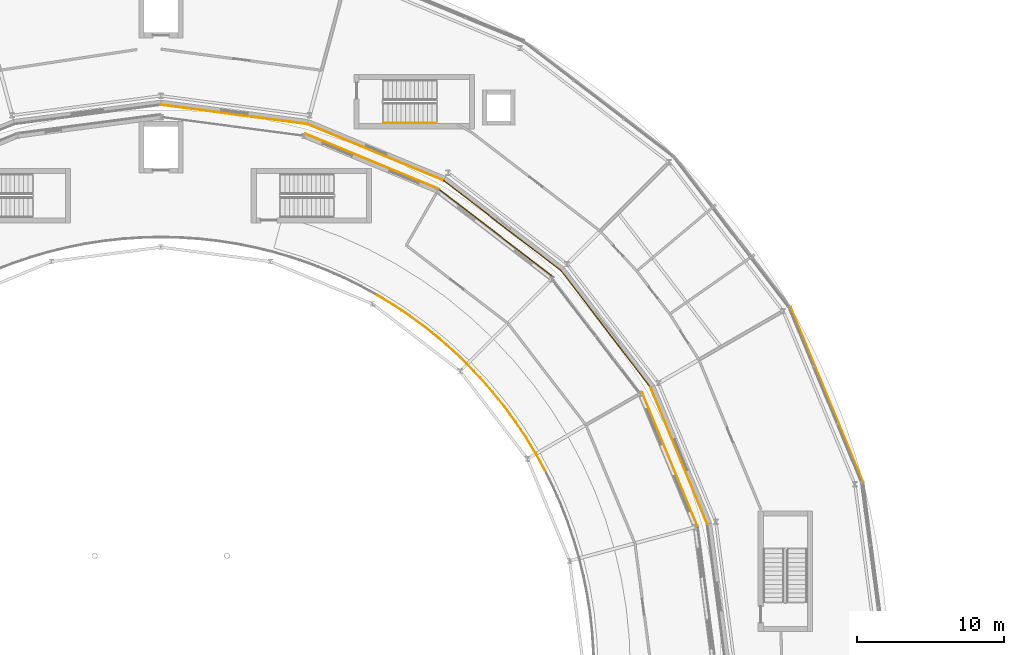
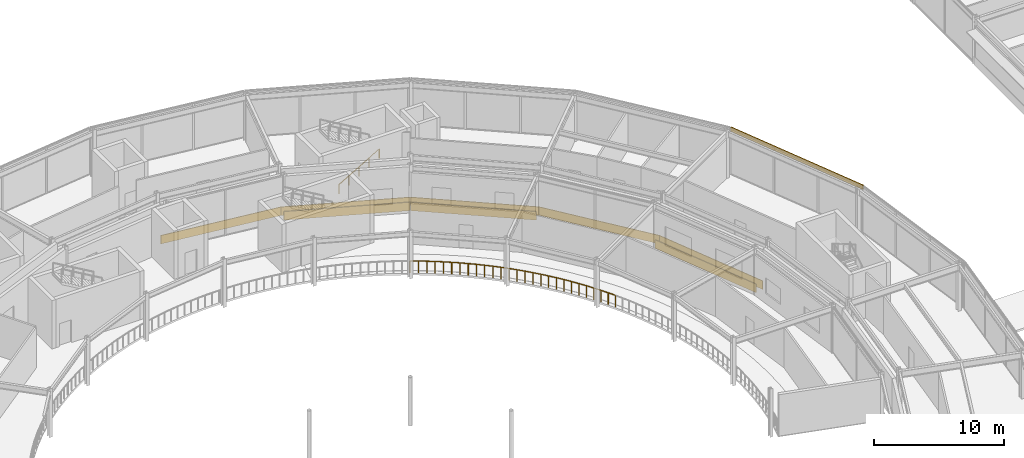
# One storey, part 127 of 133: 14 railings, 9 coverings.
"""IFC4 building model written with IfcOpenShell, lengths in metres."""

from ifc_helpers import new_model, si_unit, direction, frame, origin, origin_2d, place, context, subcontext, project, spatial, rectangle, circle, extrude, material, layer, layer_set, type_object, element, save


model = new_model("IFC4")

# Units and contexts
model_context = context("Model", 3, precision=1e-05, world=origin(), true_north=direction((0.0, 1.0)))
body_context = subcontext(model_context, "Body", "Model", "MODEL_VIEW")
ifc_project = project(units=[si_unit("LENGTHUNIT", "METRE"), si_unit("AREAUNIT", "SQUARE_METRE"), si_unit("VOLUMEUNIT", "CUBIC_METRE"), si_unit("PLANEANGLEUNIT", "RADIAN"), si_unit("MASSUNIT", "GRAM", prefix="KILO")], contexts=[model_context])

# Site, building, storey
site_placement = place(None, origin())
site = spatial("IfcSite", under=ifc_project, at=site_placement, CompositionType="ELEMENT")
building_placement = place(site_placement, origin())
building = spatial("IfcBuilding", under=site, at=building_placement, Name="Almandine Court Research Institute", CompositionType="ELEMENT")
storey_placement = place(building_placement, frame((0.0, 0.0, 9.800048828125)))
storey = spatial("IfcBuildingStorey", under=building, at=storey_placement, Name="L02", CompositionType="ELEMENT", Elevation=9.800048828125)

# Coverings
ifc_material_1 = material(Name="Extruded Cream-Ochre Seismic Terracotta Spandrel", Category="masonry")
ifc_layer = layer(ifc_material_1, 0.054931640625)
ifc_layer_set = layer_set([ifc_layer], Name="Extruded Cream-Ochre Seismic Terracotta Spandrel")
covering_type = type_object("IfcCoveringType", Name="Cov-CLAD-TERR", PredefinedType="CLADDING", material=ifc_layer_set)
covering_1_placement = place(storey_placement, frame((132.323974609375, 74.77392578125, 3.97998046875), z_axis=(0.0, 0.0, 1.0), x_axis=(0.382683432365, -0.923879532511, 0.0)))
element("IfcCovering", 1, at=covering_1_placement, inside=storey, type_object=covering_type, Name="L02 Drum Stacked Terracotta Ring Band 01", PredefinedType="CLADDING", context=body_context, shape_type="SweptSolid", body=[
    extrude(rectangle(XDim=12.8779296875, YDim=0.054931640625, at=origin_2d()), origin(), (0.0, 0.0, 1.0), 0.419921875),
])
for number, where, z_axis, x_axis, name in (
    (2, (122.25390625, 70.60302734375, 0.02001953125), (0.0, 0.0, 1.0), (-0.382683432365, 0.923879532511, 0.0), "L02 Facade Spandrel Cladding Band 343"),
    (3, (117.27392578125, 79.22998046875, 0.02001953125), (0.0, 0.0, 1.0), (-0.608761429009, 0.793353340291, 0.0), "L02 Facade Spandrel Cladding Band 345"),
    (4, (110.22998046875, 86.27392578125, 0.02001953125), (0.0, 0.0, 1.0), (-0.793353340291, 0.608761429009, 0.0), "L02 Facade Spandrel Cladding Band 347"),
    (5, (101.60302734375, 91.25390625, 0.02001953125), (0.0, 0.0, 1.0), (-0.923879532511, 0.382683432365, 0.0), "L02 Facade Spandrel Cladding Band 349"),
    (6, (91.98095703125, 93.83203125, 0.02001953125), (0.0, 0.0, 1.0), (-0.991444861374, 0.13052619222, 0.0), "L02 Facade Spandrel Cladding Band 351"),
):
    element("IfcCovering", number, at=place(storey_placement, frame(where, z_axis=z_axis, x_axis=x_axis)), inside=storey, type_object=covering_type, Name=name, PredefinedType="CLADDING", context=body_context, shape_type="SweptSolid", body=[
        extrude(rectangle(XDim=10.080078125, YDim=0.054931640625, at=origin_2d()), origin(), (0.0, 0.0, 1.0), 0.800048828125),
    ])
covering_2_placement = place(storey_placement, frame((121.64404296875, 70.35009765625, 0.02001953125), z_axis=(0.0, 0.0, 1.0), x_axis=(0.382683432365, -0.923879532511, 0.0)))
element("IfcCovering", 7, at=covering_2_placement, inside=storey, type_object=covering_type, Name="L02 Facade Spandrel Cladding Band 455", PredefinedType="CLADDING", context=body_context, shape_type="SweptSolid", body=[
    extrude(rectangle(XDim=9.821044921875, YDim=0.054931640625, at=origin_2d()), origin(), (0.0, 0.0, 1.0), 0.800048828125),
])
covering_3_placement = place(storey_placement, frame((109.826904296875, 85.7490234375, 0.02001953125), z_axis=(0.0, 0.0, 1.0), x_axis=(0.793353340291, -0.608761429009, 0.0)))
element("IfcCovering", 8, at=covering_3_placement, inside=storey, type_object=covering_type, Name="L02 Facade Spandrel Cladding Band 456", PredefinedType="CLADDING", context=body_context, shape_type="SweptSolid", body=[
    extrude(rectangle(XDim=9.820068359375, YDim=0.054931640625, at=origin_2d()), origin(), (0.0, 0.0, 1.0), 0.800048828125),
])
covering_4_placement = place(storey_placement, frame((101.35009765625, 90.64404296875, 0.02001953125), z_axis=(0.0, 0.0, 1.0), x_axis=(0.923879532511, -0.382683432365, 0.0)))
element("IfcCovering", 9, at=covering_4_placement, inside=storey, type_object=covering_type, Name="L02 Facade Spandrel Cladding Band 457", PredefinedType="CLADDING", context=body_context, shape_type="SweptSolid", body=[
    extrude(rectangle(XDim=9.821044921875, YDim=0.054931640625, at=origin_2d()), origin(), (0.0, 0.0, 1.0), 0.800048828125),
])

# Railings
ifc_material_2 = material(Name="Powder-Coated Steel Stair and Atrium Balustrade", Category="steel")
railing_type_1 = type_object("IfcRailingType", Name="Rail-GUARD-INT", PredefinedType="BALUSTRADE", material=ifc_material_2)
railing_1_placement = place(storey_placement, frame((113.14892578125, 69.612060546875, 0.0)))
element("IfcRailing", 10, at=railing_1_placement, inside=storey, type_object=railing_type_1, Name="L02 Atrium Gallery Void Balustrade 018", PredefinedType="BALUSTRADE", context=body_context, shape_type="SweptSolid", body=[
    extrude(circle(Radius=0.02392578125, at=origin_2d()), frame((0.0, 0.0, 1.09619140625), z_axis=(-0.481044370562, 0.876696249308, 0.0), x_axis=(-0.876696249308, -0.481044370562, 0.0)), (0.0, 0.0, 1.0), 1.28662109375),
    extrude(circle(Radius=0.02099609375, at=origin_2d()), origin(), (0.0, 0.0, 1.0), 1.072021484375),
    extrude(circle(Radius=0.02099609375, at=origin_2d()), frame((-0.3095703125, 0.56396484375, 0.0)), (0.0, 0.0, 1.0), 1.072021484375),
    extrude(circle(Radius=0.02099609375, at=origin_2d()), frame((-0.618896484375, 1.1279296875, 0.0)), (0.0, 0.0, 1.0), 1.072021484375),
])
railing_2_placement = place(storey_placement, frame((112.530029296875, 70.739990234375, 0.0)))
element("IfcRailing", 11, at=railing_2_placement, inside=storey, type_object=railing_type_1, Name="L02 Atrium Gallery Void Balustrade 019", PredefinedType="BALUSTRADE", context=body_context, shape_type="SweptSolid", body=[
    extrude(circle(Radius=0.02392578125, at=origin_2d()), frame((0.0, 0.0, 1.09619140625), z_axis=(-0.518453116568, 0.855106055364, 0.0), x_axis=(-0.855106055364, -0.518453116568, 0.0)), (0.0, 0.0, 1.0), 1.28662109375),
    extrude(circle(Radius=0.02099609375, at=origin_2d()), origin(), (0.0, 0.0, 1.0), 1.072021484375),
    extrude(circle(Radius=0.02099609375, at=origin_2d()), frame((-0.33349609375, 0.550048828125, 0.0)), (0.0, 0.0, 1.0), 1.072021484375),
    extrude(circle(Radius=0.02099609375, at=origin_2d()), frame((-0.6669921875, 1.10009765625, 0.0)), (0.0, 0.0, 1.0), 1.072021484375),
])
railing_3_placement = place(storey_placement, frame((111.863037109375, 71.840087890625, 0.0)))
element("IfcRailing", 12, at=railing_3_placement, inside=storey, type_object=railing_type_1, Name="L02 Atrium Gallery Void Balustrade 020", PredefinedType="BALUSTRADE", context=body_context, shape_type="SweptSolid", body=[
    extrude(circle(Radius=0.02392578125, at=origin_2d()), frame((0.0, 0.0, 1.09619140625), z_axis=(-0.555532669549, 0.831494710184, 0.0), x_axis=(-0.831494710184, -0.555532669549, 0.0)), (0.0, 0.0, 1.0), 1.285400390625),
    extrude(circle(Radius=0.02099609375, at=origin_2d()), origin(), (0.0, 0.0, 1.0), 1.072021484375),
    extrude(circle(Radius=0.02099609375, at=origin_2d()), frame((-0.35693359375, 0.534423828125, 0.0)), (0.0, 0.0, 1.0), 1.072021484375),
    extrude(circle(Radius=0.02099609375, at=origin_2d()), frame((-0.714111328125, 1.06884765625, 0.0)), (0.0, 0.0, 1.0), 1.072021484375),
])
railing_4_placement = place(storey_placement, frame((111.14892578125, 72.908935546875, 0.0)))
element("IfcRailing", 13, at=railing_4_placement, inside=storey, type_object=railing_type_1, Name="L02 Atrium Gallery Void Balustrade 021", PredefinedType="BALUSTRADE", context=body_context, shape_type="SweptSolid", body=[
    extrude(circle(Radius=0.02392578125, at=origin_2d()), frame((0.0, 0.0, 1.09619140625), z_axis=(-0.591585798115, 0.806242050174, 0.0), x_axis=(-0.806242050174, -0.591585798115, 0.0)), (0.0, 0.0, 1.0), 1.286376953125),
    extrude(circle(Radius=0.02099609375, at=origin_2d()), origin(), (0.0, 0.0, 1.0), 1.072021484375),
    extrude(circle(Radius=0.02099609375, at=origin_2d()), frame((-0.38037109375, 0.5185546875, 0.0)), (0.0, 0.0, 1.0), 1.072021484375),
    extrude(circle(Radius=0.02099609375, at=origin_2d()), frame((-0.760986328125, 1.037109375, 0.0)), (0.0, 0.0, 1.0), 1.072021484375),
])
railing_5_placement = place(storey_placement, frame((110.387939453125, 73.946044921875, 0.0)))
element("IfcRailing", 14, at=railing_5_placement, inside=storey, type_object=railing_type_1, Name="L02 Atrium Gallery Void Balustrade 022", PredefinedType="BALUSTRADE", context=body_context, shape_type="SweptSolid", body=[
    extrude(circle(Radius=0.02392578125, at=origin_2d()), frame((0.0, 0.0, 1.09619140625), z_axis=(-0.625921327865, 0.779886204086, 0.0), x_axis=(-0.779886204086, -0.625921327865, 0.0)), (0.0, 0.0, 1.0), 1.285888671875),
    extrude(circle(Radius=0.02099609375, at=origin_2d()), origin(), (0.0, 0.0, 1.0), 1.072021484375),
    extrude(circle(Radius=0.02099609375, at=origin_2d()), frame((-0.40234375, 0.50146484375, 0.0)), (0.0, 0.0, 1.0), 1.072021484375),
    extrude(circle(Radius=0.02099609375, at=origin_2d()), frame((-0.804931640625, 1.0029296875, 0.0)), (0.0, 0.0, 1.0), 1.072021484375),
])
railing_6_placement = place(storey_placement, frame((109.5830078125, 74.948974609375, 0.0)))
element("IfcRailing", 15, at=railing_6_placement, inside=storey, type_object=railing_type_1, Name="L02 Atrium Gallery Void Balustrade 023", PredefinedType="BALUSTRADE", context=body_context, shape_type="SweptSolid", body=[
    extrude(circle(Radius=0.02392578125, at=origin_2d()), frame((0.0, 0.0, 1.09619140625), z_axis=(-0.659270295587, 0.751906029605, 0.0), x_axis=(-0.751906029605, -0.659270295587, 0.0)), (0.0, 0.0, 1.0), 1.2861328125),
    extrude(circle(Radius=0.02099609375, at=origin_2d()), origin(), (0.0, 0.0, 1.0), 1.072021484375),
    extrude(circle(Radius=0.02099609375, at=origin_2d()), frame((-0.423828125, 0.4833984375, 0.0)), (0.0, 0.0, 1.0), 1.072021484375),
    extrude(circle(Radius=0.02099609375, at=origin_2d()), frame((-0.847900390625, 0.967041015625, 0.0)), (0.0, 0.0, 1.0), 1.072021484375),
])
railing_7_placement = place(storey_placement, frame((108.735107421875, 75.916015625, 0.0)))
element("IfcRailing", 16, at=railing_7_placement, inside=storey, type_object=railing_type_1, Name="L02 Atrium Gallery Void Balustrade 024", PredefinedType="BALUSTRADE", context=body_context, shape_type="SweptSolid", body=[
    extrude(circle(Radius=0.02392578125, at=origin_2d()), frame((0.0, 0.0, 1.09619140625), z_axis=(-0.691084766571, 0.722773716604, 0.0), x_axis=(-0.722773716604, -0.691084766571, 0.0)), (0.0, 0.0, 1.0), 1.28662109375),
    extrude(circle(Radius=0.02099609375, at=origin_2d()), origin(), (0.0, 0.0, 1.0), 1.072021484375),
    extrude(circle(Radius=0.02099609375, at=origin_2d()), frame((-0.444580078125, 0.46484375, 0.0)), (0.0, 0.0, 1.0), 1.072021484375),
    extrude(circle(Radius=0.02099609375, at=origin_2d()), frame((-0.88916015625, 0.929931640625, 0.0)), (0.0, 0.0, 1.0), 1.072021484375),
])
railing_8_placement = place(storey_placement, frame((107.845947265625, 76.845947265625, 0.0)))
element("IfcRailing", 17, at=railing_8_placement, inside=storey, type_object=railing_type_1, Name="L02 Atrium Gallery Void Balustrade 025", PredefinedType="BALUSTRADE", context=body_context, shape_type="SweptSolid", body=[
    extrude(circle(Radius=0.02392578125, at=origin_2d()), frame((0.0, 0.0, 1.09619140625), z_axis=(-0.722773716604, 0.691084766571, 0.0), x_axis=(-0.691084766571, -0.722773716604, 0.0)), (0.0, 0.0, 1.0), 1.28662109375),
    extrude(circle(Radius=0.02099609375, at=origin_2d()), origin(), (0.0, 0.0, 1.0), 1.072021484375),
    extrude(circle(Radius=0.02099609375, at=origin_2d()), frame((-0.46484375, 0.444580078125, 0.0)), (0.0, 0.0, 1.0), 1.072021484375),
    extrude(circle(Radius=0.02099609375, at=origin_2d()), frame((-0.929931640625, 0.88916015625, 0.0)), (0.0, 0.0, 1.0), 1.072021484375),
])
railing_9_placement = place(storey_placement, frame((106.916015625, 77.735107421875, 0.0)))
element("IfcRailing", 18, at=railing_9_placement, inside=storey, type_object=railing_type_1, Name="L02 Atrium Gallery Void Balustrade 026", PredefinedType="BALUSTRADE", context=body_context, shape_type="SweptSolid", body=[
    extrude(circle(Radius=0.02392578125, at=origin_2d()), frame((0.0, 0.0, 1.09619140625), z_axis=(-0.751906029605, 0.659270295587, 0.0), x_axis=(-0.659270295587, -0.751906029605, 0.0)), (0.0, 0.0, 1.0), 1.2861328125),
    extrude(circle(Radius=0.02099609375, at=origin_2d()), origin(), (0.0, 0.0, 1.0), 1.072021484375),
    extrude(circle(Radius=0.02099609375, at=origin_2d()), frame((-0.4833984375, 0.423828125, 0.0)), (0.0, 0.0, 1.0), 1.072021484375),
    extrude(circle(Radius=0.02099609375, at=origin_2d()), frame((-0.967041015625, 0.847900390625, 0.0)), (0.0, 0.0, 1.0), 1.072021484375),
])
railing_10_placement = place(storey_placement, frame((105.948974609375, 78.5830078125, 0.0)))
element("IfcRailing", 19, at=railing_10_placement, inside=storey, type_object=railing_type_1, Name="L02 Atrium Gallery Void Balustrade 027", PredefinedType="BALUSTRADE", context=body_context, shape_type="SweptSolid", body=[
    extrude(circle(Radius=0.02392578125, at=origin_2d()), frame((0.0, 0.0, 1.09619140625), z_axis=(-0.779886204086, 0.625921327865, 0.0), x_axis=(-0.625921327865, -0.779886204086, 0.0)), (0.0, 0.0, 1.0), 1.285888671875),
    extrude(circle(Radius=0.02099609375, at=origin_2d()), origin(), (0.0, 0.0, 1.0), 1.072021484375),
    extrude(circle(Radius=0.02099609375, at=origin_2d()), frame((-0.50146484375, 0.40234375, 0.0)), (0.0, 0.0, 1.0), 1.072021484375),
    extrude(circle(Radius=0.02099609375, at=origin_2d()), frame((-1.0029296875, 0.804931640625, 0.0)), (0.0, 0.0, 1.0), 1.072021484375),
])
railing_11_placement = place(storey_placement, frame((104.946044921875, 79.387939453125, 0.0)))
element("IfcRailing", 20, at=railing_11_placement, inside=storey, type_object=railing_type_1, Name="L02 Atrium Gallery Void Balustrade 028", PredefinedType="BALUSTRADE", context=body_context, shape_type="SweptSolid", body=[
    extrude(circle(Radius=0.02392578125, at=origin_2d()), frame((0.0, 0.0, 1.09619140625), z_axis=(-0.806242050174, 0.591585798115, 0.0), x_axis=(-0.591585798115, -0.806242050174, 0.0)), (0.0, 0.0, 1.0), 1.286376953125),
    extrude(circle(Radius=0.02099609375, at=origin_2d()), origin(), (0.0, 0.0, 1.0), 1.072021484375),
    extrude(circle(Radius=0.02099609375, at=origin_2d()), frame((-0.5185546875, 0.38037109375, 0.0)), (0.0, 0.0, 1.0), 1.072021484375),
    extrude(circle(Radius=0.02099609375, at=origin_2d()), frame((-1.037109375, 0.760986328125, 0.0)), (0.0, 0.0, 1.0), 1.072021484375),
])
railing_12_placement = place(storey_placement, frame((103.908935546875, 80.14892578125, 0.0)))
element("IfcRailing", 21, at=railing_12_placement, inside=storey, type_object=railing_type_1, Name="L02 Atrium Gallery Void Balustrade 029", PredefinedType="BALUSTRADE", context=body_context, shape_type="SweptSolid", body=[
    extrude(circle(Radius=0.02392578125, at=origin_2d()), frame((0.0, 0.0, 1.09619140625), z_axis=(-0.831494710184, 0.555532669549, 0.0), x_axis=(-0.555532669549, -0.831494710184, 0.0)), (0.0, 0.0, 1.0), 1.285400390625),
    extrude(circle(Radius=0.02099609375, at=origin_2d()), origin(), (0.0, 0.0, 1.0), 1.072021484375),
    extrude(circle(Radius=0.02099609375, at=origin_2d()), frame((-0.534423828125, 0.35693359375, 0.0)), (0.0, 0.0, 1.0), 1.072021484375),
    extrude(circle(Radius=0.02099609375, at=origin_2d()), frame((-1.06884765625, 0.714111328125, 0.0)), (0.0, 0.0, 1.0), 1.072021484375),
])
railing_13_placement = place(storey_placement, frame((102.840087890625, 80.863037109375, 0.0)))
element("IfcRailing", 22, at=railing_13_placement, inside=storey, type_object=railing_type_1, Name="L02 Atrium Gallery Void Balustrade 030", PredefinedType="BALUSTRADE", context=body_context, shape_type="SweptSolid", body=[
    extrude(circle(Radius=0.02392578125, at=origin_2d()), frame((0.0, 0.0, 1.09619140625), z_axis=(-0.855106055364, 0.518453116568, 0.0), x_axis=(-0.518453116568, -0.855106055364, 0.0)), (0.0, 0.0, 1.0), 1.28662109375),
    extrude(circle(Radius=0.02099609375, at=origin_2d()), origin(), (0.0, 0.0, 1.0), 1.072021484375),
    extrude(circle(Radius=0.02099609375, at=origin_2d()), frame((-0.550048828125, 0.33349609375, 0.0)), (0.0, 0.0, 1.0), 1.072021484375),
    extrude(circle(Radius=0.02099609375, at=origin_2d()), frame((-1.10009765625, 0.6669921875, 0.0)), (0.0, 0.0, 1.0), 1.072021484375),
])
ifc_material_3 = material(Name="Brushed Stainless Steel Wall Handrail", Category="steel")
railing_type_2 = type_object("IfcRailingType", Name="Rail-HAND-INT", PredefinedType="HANDRAIL", material=ifc_material_3)
railing_14_placement = place(storey_placement, frame((102.14990234375, 93.25, 0.175048828125)))
element("IfcRailing", 23, at=railing_14_placement, inside=storey, type_object=railing_type_2, Name="L02 ST-09 stair handrail 1", PredefinedType="HANDRAIL", context=body_context, shape_type="SweptSolid", body=[
    extrude(circle(Radius=0.02392578125, at=origin_2d()), frame((0.0, 0.0, 0.8759765625), z_axis=(0.863800146258, 0.0, 0.503834603144), x_axis=(0.0, 1.0, 0.0)), (0.0, 0.0, 1.0), 4.167724609375),
    extrude(circle(Radius=0.02099609375, at=origin_2d()), origin(), (0.0, 0.0, 1.0), 0.851806640625),
    extrude(circle(Radius=0.02099609375, at=origin_2d()), frame((0.89990234375, 0.0, 0.52490234375)), (0.0, 0.0, 1.0), 0.851806640625),
    extrude(circle(Radius=0.02099609375, at=origin_2d()), frame((1.800048828125, 0.0, 1.0498046875)), (0.0, 0.0, 1.0), 0.851806640625),
    extrude(circle(Radius=0.02099609375, at=origin_2d()), frame((2.7001953125, 0.0, 1.574951171875)), (0.0, 0.0, 1.0), 0.851806640625),
    extrude(circle(Radius=0.02099609375, at=origin_2d()), frame((3.60009765625, 0.0, 2.099853515625)), (0.0, 0.0, 1.0), 0.851806640625),
])

save(model, "model.ifc")
